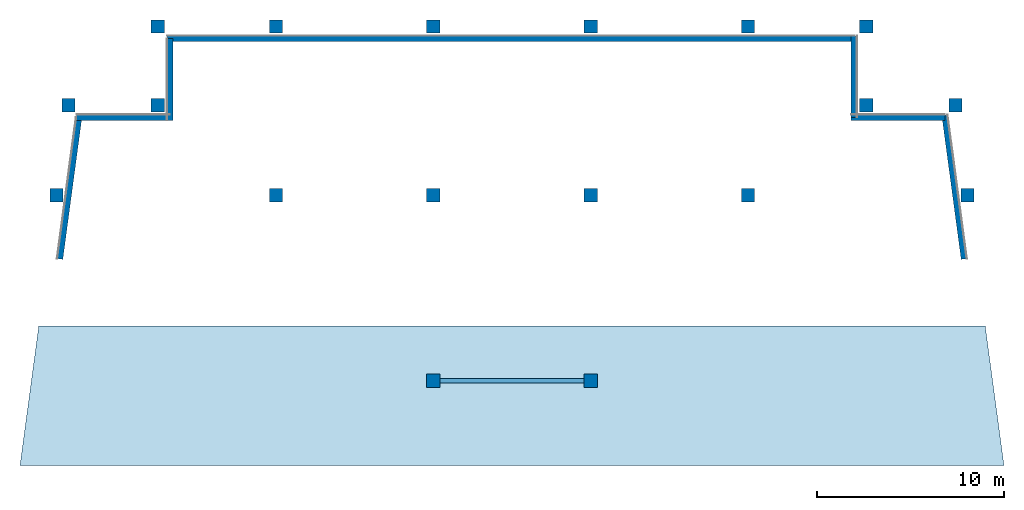
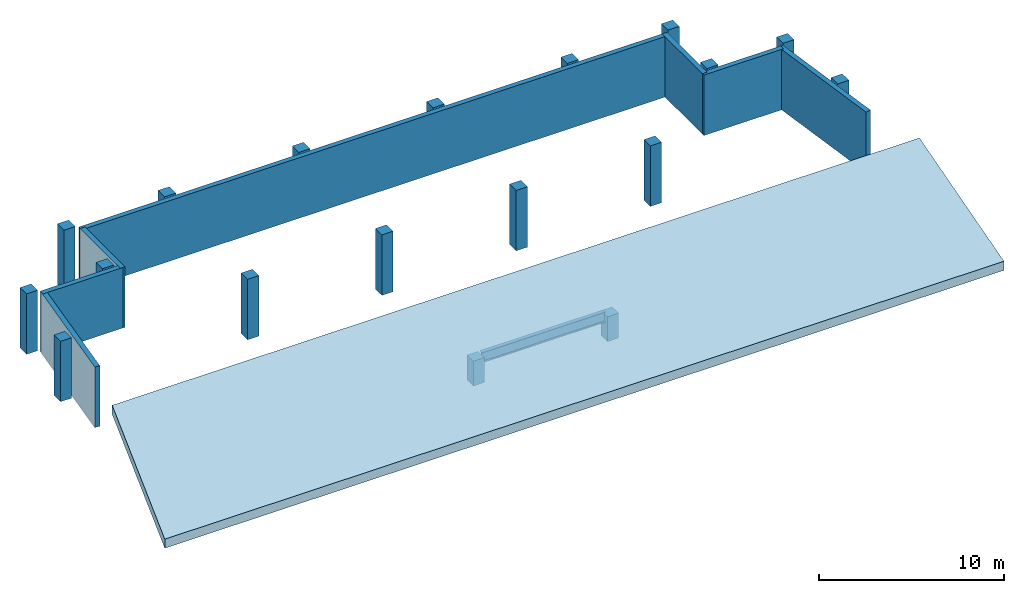
# One storey, part 1 of 2: 18 columns, 7 walls, 1 beam, 1 slab.
"""IFC4 building model written with IfcOpenShell, lengths in metres."""

from ifc_helpers import new_model, si_unit, direction, frame, frame_2d, origin, origin_2d, place, context, subcontext, project, spatial, polyline, rectangle, i_section, outline, extrude, material, layer, layer_set, material_profile, profile_set, type_object, element, save


model = new_model("IFC4")

# Units and contexts
model_context = context("Model", 3, precision=1e-05, world=origin(), true_north=direction((0.0, 1.0)))
body_context = subcontext(model_context, "Body", "Model", "MODEL_VIEW")
ifc_project = project(units=[si_unit("LENGTHUNIT", "METRE"), si_unit("AREAUNIT", "SQUARE_METRE"), si_unit("VOLUMEUNIT", "CUBIC_METRE"), si_unit("PLANEANGLEUNIT", "RADIAN"), si_unit("MASSUNIT", "GRAM", prefix="KILO")], contexts=[model_context])

# Site, building, storey
site_placement = place(None, origin())
site = spatial("IfcSite", under=ifc_project, at=site_placement, CompositionType="ELEMENT")
building_placement = place(site_placement, origin())
building = spatial("IfcBuilding", under=site, at=building_placement, Name="Candeia Pilgrim Tower and Theatre", CompositionType="ELEMENT")
storey_placement = place(building_placement, frame((0.0, 0.0, 324.39990234375)))
storey = spatial("IfcBuildingStorey", under=building, at=storey_placement, Name="L78", CompositionType="ELEMENT", Elevation=324.39990234375)

# Columns
ifc_material_1 = material(Name="Concrete C40/50", Category="concrete")
ifc_material_profile_1 = material_profile(ifc_material_1, rectangle(XDim=0.699951171875, YDim=0.699951171875, at=origin_2d()))
ifc_profile_set_1 = profile_set([ifc_material_profile_1], Name="Concrete C40/50")
column_type = type_object("IfcColumnType", Name="RC 700x700 C40/50", PredefinedType="COLUMN", material=ifc_profile_set_1)
for number, where, z_axis, x_axis, name in (
    (1, (94.5, 140.60009765625, 0.0), (0.0, 0.0, 1.0), (1.0, 0.0, 0.0), "Column NNW"),
    (2, (132.300048828125, 140.60009765625, 0.0), (0.0, 0.0, 1.0), (1.0, 0.0, 0.0), "Column NNE"),
    (3, (89.734619140625, 140.60009765625, 0.0), (0.0, 0.0, 1.0), (1.0, 0.0, 0.0), "Column LNW"),
    (4, (137.0654296875, 140.60009765625, 0.0), (0.0, 0.0, 1.0), (1.0, 0.0, 0.0), "Column LNE"),
):
    element("IfcColumn", number, at=place(storey_placement, frame(where, z_axis=z_axis, x_axis=x_axis)), inside=storey, type_object=column_type, Name=name, PredefinedType="COLUMN", context=body_context, shape_type="SweptSolid", body=[
        extrude(rectangle(XDim=0.699951171875, YDim=0.699951171875, at=origin_2d()), origin(), (0.0, 0.0, 1.0), 4.0),
    ])
for number, where, z_axis, x_axis, name in (
    (5, (109.199951171875, 125.89990234375, 0.0), (0.0, 0.0, 1.0), (1.0, 0.0, 0.0), "Column D3"),
    (6, (117.60009765625, 125.89990234375, 0.0), (0.0, 0.0, 1.0), (1.0, 0.0, 0.0), "Column D4"),
):
    element("IfcColumn", number, at=place(storey_placement, frame(where, z_axis=z_axis, x_axis=x_axis)), inside=storey, type_object=column_type, Name=name, PredefinedType="COLUMN", context=body_context, shape_type="SweptSolid", body=[
        extrude(rectangle(XDim=0.699951171875, YDim=0.699951171875, at=origin_2d()), origin(), (0.0, 0.0, 1.0), 1.639892578125),
    ])
for number, where, z_axis, x_axis, name in (
    (7, (100.800048828125, 135.800048828125, 0.0), (0.0, 0.0, 1.0), (1.0, 0.0, 0.0), "Column E2"),
    (8, (109.199951171875, 135.800048828125, 0.0), (0.0, 0.0, 1.0), (1.0, 0.0, 0.0), "Column E3"),
    (9, (117.60009765625, 135.800048828125, 0.0), (0.0, 0.0, 1.0), (1.0, 0.0, 0.0), "Column E4"),
    (10, (126.0, 135.800048828125, 0.0), (0.0, 0.0, 1.0), (1.0, 0.0, 0.0), "Column E5"),
    (11, (89.08837890625, 135.800048828125, 0.0), (0.0, 0.0, 1.0), (1.0, 0.0, 0.0), "Column EW"),
    (12, (137.71142578125, 135.800048828125, 0.0), (0.0, 0.0, 1.0), (1.0, 0.0, 0.0), "Column EE"),
    (13, (100.800048828125, 144.800048828125, 0.0), (0.0, 0.0, 1.0), (1.0, 0.0, 0.0), "Column F2"),
    (14, (109.199951171875, 144.800048828125, 0.0), (0.0, 0.0, 1.0), (1.0, 0.0, 0.0), "Column F3"),
    (15, (117.60009765625, 144.800048828125, 0.0), (0.0, 0.0, 1.0), (1.0, 0.0, 0.0), "Column F4"),
    (16, (126.0, 144.800048828125, 0.0), (0.0, 0.0, 1.0), (1.0, 0.0, 0.0), "Column F5"),
    (17, (94.5, 144.800048828125, 0.0), (0.0, 0.0, 1.0), (1.0, 0.0, 0.0), "Column FW"),
    (18, (132.300048828125, 144.800048828125, 0.0), (0.0, 0.0, 1.0), (1.0, 0.0, 0.0), "Column FE"),
):
    element("IfcColumn", number, at=place(storey_placement, frame(where, z_axis=z_axis, x_axis=x_axis)), inside=storey, type_object=column_type, Name=name, PredefinedType="COLUMN", context=body_context, shape_type="SweptSolid", body=[
        extrude(rectangle(XDim=0.699951171875, YDim=0.699951171875, at=origin_2d()), origin(), (0.0, 0.0, 1.0), 4.0),
    ])

# Beam
ifc_material_2 = material(Name="Structural steel ASTM A572 Grade 50", Category="steel")
ifc_material_profile_2 = material_profile(ifc_material_2, i_section(OverallWidth=0.2529296875, OverallDepth=0.677978515625, WebThickness=0.01171875, FlangeThickness=0.016357421875, FilletRadius=0.0126953125, at=origin_2d()))
ifc_profile_set_2 = profile_set([ifc_material_profile_2], Name="Structural steel ASTM A572 Grade 50")
beam_type = type_object("IfcBeamType", Name="W690x125 steel", PredefinedType="BEAM", material=ifc_profile_set_2)
beam_placement = place(storey_placement, frame((109.550048828125, 125.89990234375, 1.4892578125), z_axis=(1.0, 0.0, 0.0), x_axis=(0.0, 1.0, 0.0)))
element("IfcBeam", 19, at=beam_placement, inside=storey, type_object=beam_type, Name="Crown girder D4", PredefinedType="BEAM", context=body_context, shape_type="SweptSolid", body=[
    extrude(i_section(OverallWidth=0.2529296875, OverallDepth=0.677978515625, WebThickness=0.01171875, FlangeThickness=0.016357421875, FilletRadius=0.0126953125, at=origin_2d()), origin(), (0.0, 0.0, 1.0), 7.699951171875),
])

# Slab
ifc_material_3 = material(Name="Glazed ceramic tile bottle green roof panel")
ifc_layer_1 = layer(ifc_material_3, 0.60009765625)
ifc_layer_set_1 = layer_set([ifc_layer_1], Name="RF1 crown roof plane 600")
slab_type = type_object("IfcSlabType", Name="RF1 crown roof plane 600", PredefinedType="ROOF", material=ifc_layer_set_1)
slab_placement = place(storey_placement, frame((139.651611328125, 121.388427734375, 0.0), z_axis=(0.0, -0.473923869078, 0.880565821684), x_axis=(-0.117714673295, 0.874443651646, 0.470628893915)))
element("IfcSlab", 20, at=slab_placement, inside=storey, type_object=slab_type, Name="Crown roof plane L78", PredefinedType="ROOF", context=body_context, shape_type="SweptSolid", body=[
    extrude(outline(polyline([(0.0, 0.0), (8.49926566710533, -5.551115123125783e-17), (14.444115318903778, 50.15107866510563), (6.180393954123919, 52.13814335587851), (0.0, 0.0)])), origin(), (-0.470628893915, 0.055787793415, -0.880565821684), 0.60009765625),
])

# Walls
ifc_material_4 = material(Name="Ceramic block masonry", Category="masonry")
ifc_layer_2 = layer(ifc_material_4, 0.300048828125)
ifc_layer_set_2 = layer_set([ifc_layer_2], Name="EW1 glazing-line wall 300")
wall_type = type_object("IfcWallType", Name="EW1 glazing-line wall 300", PredefinedType="SOLIDWALL", material=ifc_layer_set_2)
wall_1_placement = place(storey_placement, frame((90.302978515625, 139.949951171875, 0.0), z_axis=(0.0, 0.0, 1.0), x_axis=(-0.133412617465, -0.991060580137, 0.0)))
element("IfcWall", 21, at=wall_1_placement, inside=storey, type_object=wall_type, Name="External wall L78-0.0", PredefinedType="SOLIDWALL", context=body_context, shape_type="SweptSolid", body=[
    extrude(rectangle(XDim=7.6181640625, YDim=0.300048828125, at=frame_2d((3.80908203125, 0.0))), origin(), (0.0, 0.0, 1.0), 4.0),
])
wall_2_placement = place(storey_placement, frame((137.513427734375, 132.39990234375, 0.0), z_axis=(0.0, 0.0, 1.0), x_axis=(-0.133420343073, 0.991059540116, 0.0)))
element("IfcWall", 22, at=wall_2_placement, inside=storey, type_object=wall_type, Name="External wall L78-2.1", PredefinedType="SOLIDWALL", context=body_context, shape_type="SweptSolid", body=[
    extrude(rectangle(XDim=7.74951171875, YDim=0.300048828125, at=frame_2d((3.874755859375, 0.0))), origin(), (0.0, 0.0, 1.0), 4.0),
])
wall_3_placement = place(storey_placement, frame((136.4970703125, 139.949951171875, 0.0), z_axis=(0.0, 0.0, 1.0), x_axis=(-1.0, 0.0, 0.0)))
element("IfcWall", 23, at=wall_3_placement, inside=storey, type_object=wall_type, Name="External wall L78-3.0", PredefinedType="SOLIDWALL", context=body_context, shape_type="SweptSolid", body=[
    extrude(rectangle(XDim=4.9970703125, YDim=0.300048828125, at=frame_2d((2.49853515625, 0.0))), origin(), (0.0, 0.0, 1.0), 4.0),
])
wall_4_placement = place(storey_placement, frame((131.64990234375, 139.949951171875, 0.0), z_axis=(0.0, 0.0, 1.0), x_axis=(0.0, 1.0, 0.0)))
element("IfcWall", 24, at=wall_4_placement, inside=storey, type_object=wall_type, Name="External wall L78-4.0", PredefinedType="SOLIDWALL", context=body_context, shape_type="SweptSolid", body=[
    extrude(rectangle(XDim=4.35009765625, YDim=0.300048828125, at=frame_2d((2.175048828125, 0.0))), origin(), (0.0, 0.0, 1.0), 4.0),
])
wall_5_placement = place(storey_placement, frame((131.64990234375, 144.14990234375, 0.0), z_axis=(0.0, 0.0, 1.0), x_axis=(-1.0, 0.0, 0.0)))
element("IfcWall", 25, at=wall_5_placement, inside=storey, type_object=wall_type, Name="External wall L78-5.0", PredefinedType="SOLIDWALL", context=body_context, shape_type="SweptSolid", body=[
    extrude(rectangle(XDim=36.64990234375, YDim=0.300048828125, at=frame_2d((18.324951171875, 0.0))), origin(), (0.0, 0.0, 1.0), 4.0),
])
wall_6_placement = place(storey_placement, frame((95.14990234375, 144.14990234375, 0.0), z_axis=(0.0, 0.0, 1.0), x_axis=(0.0, -1.0, 0.0)))
element("IfcWall", 26, at=wall_6_placement, inside=storey, type_object=wall_type, Name="External wall L78-6.0", PredefinedType="SOLIDWALL", context=body_context, shape_type="SweptSolid", body=[
    extrude(rectangle(XDim=4.349853515625, YDim=0.300048828125, at=frame_2d((2.1748046875, 0.0))), origin(), (0.0, 0.0, 1.0), 4.0),
])
wall_7_placement = place(storey_placement, frame((95.14990234375, 139.949951171875, 0.0), z_axis=(0.0, 0.0, 1.0), x_axis=(-1.0, 0.0, 0.0)))
element("IfcWall", 27, at=wall_7_placement, inside=storey, type_object=wall_type, Name="External wall L78-7.0", PredefinedType="SOLIDWALL", context=body_context, shape_type="SweptSolid", body=[
    extrude(rectangle(XDim=4.97802734375, YDim=0.300048828125, at=frame_2d((2.489013671875, 0.0))), origin(), (0.0, 0.0, 1.0), 4.0),
])

save(model, "model.ifc")
